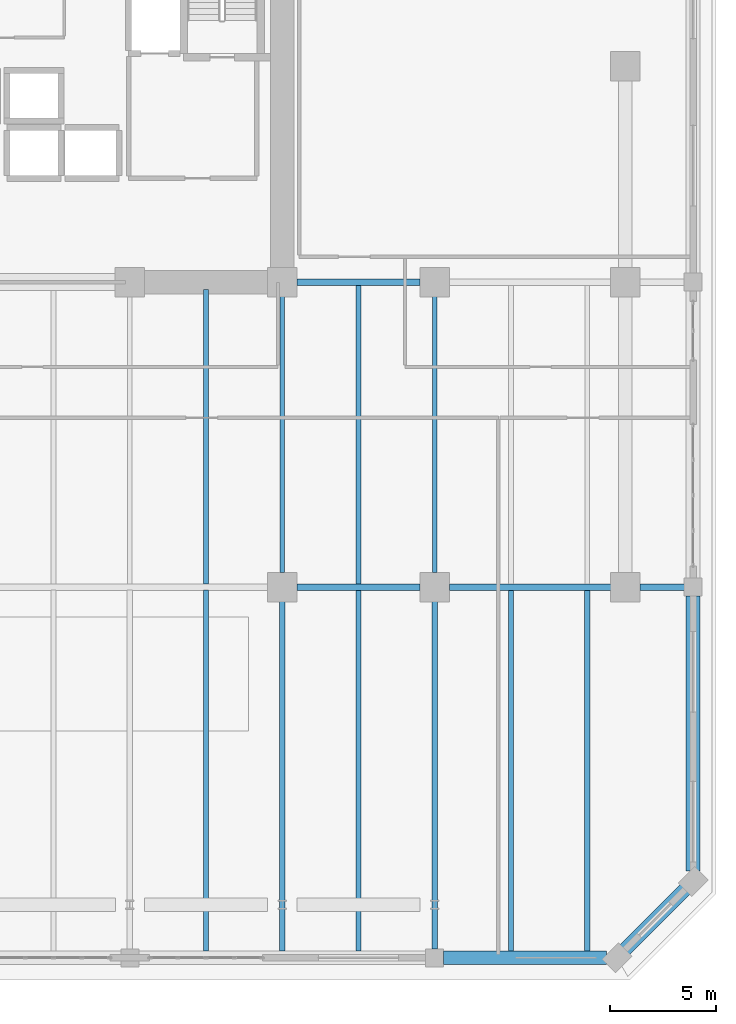
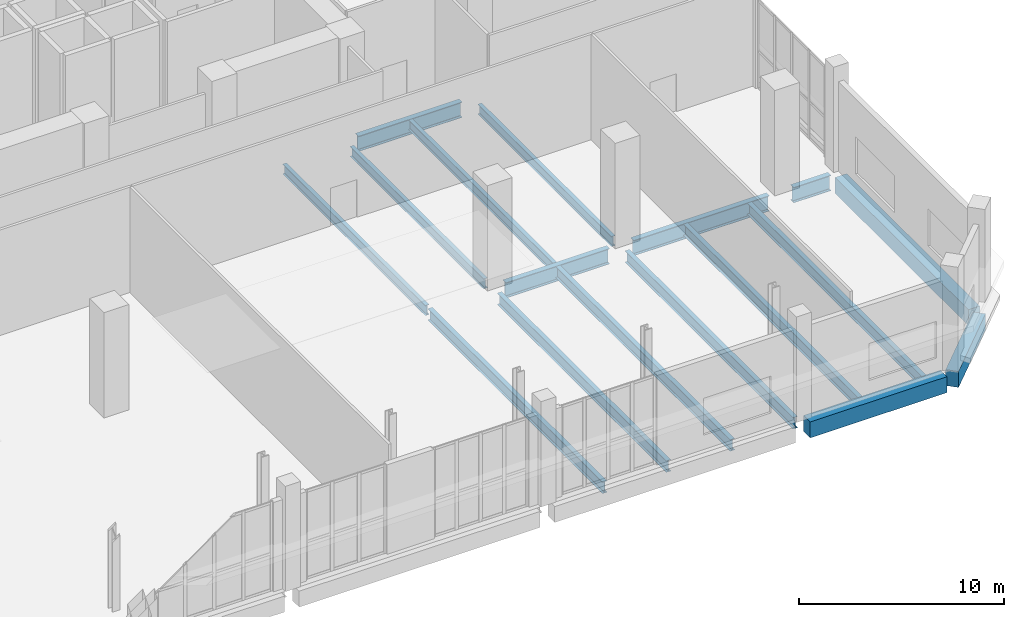
# One storey, part 17 of 29: 17 beams.
"""IFC4 building model written with IfcOpenShell, lengths in metres."""

from ifc_helpers import new_model, si_unit, direction, frame, origin, origin_2d, place, context, subcontext, project, spatial, rectangle, i_section, extrude, material, material_profile, profile_set, type_object, element, save


model = new_model("IFC4")

# Units and contexts
model_context = context("Model", 3, precision=1e-05, world=origin(), true_north=direction((0.0, 1.0)))
body_context = subcontext(model_context, "Body", "Model", "MODEL_VIEW")
ifc_project = project(units=[si_unit("LENGTHUNIT", "METRE"), si_unit("AREAUNIT", "SQUARE_METRE"), si_unit("VOLUMEUNIT", "CUBIC_METRE"), si_unit("PLANEANGLEUNIT", "RADIAN"), si_unit("MASSUNIT", "GRAM", prefix="KILO")], contexts=[model_context])

# Site, building, storey
site_placement = place(None, origin())
site = spatial("IfcSite", under=ifc_project, at=site_placement, CompositionType="ELEMENT")
building_placement = place(site_placement, origin())
building = spatial("IfcBuilding", under=site, at=building_placement, Name="Kaelvorn Grand Hotel", CompositionType="ELEMENT")
storey_placement = place(building_placement, frame((0.0, 0.0, 19.39990234375)))
storey = spatial("IfcBuildingStorey", under=building, at=storey_placement, Name="L03", CompositionType="ELEMENT", Elevation=19.39990234375)

# Beams
ifc_material_1 = material(Name="Steel S355", Category="steel")
ifc_material_profile_1 = material_profile(ifc_material_1, i_section(OverallWidth=0.305419921875, OverallDepth=0.91845703125, WebThickness=0.017333984375, FlangeThickness=0.02783203125, FilletRadius=0.01904296875, at=origin_2d()), Name="UB 914x305x253")
ifc_profile_set_1 = profile_set([ifc_material_profile_1], Name="Steel S355")
beam_type_1 = type_object("IfcBeamType", Name="BM-G-UB914-S355", PredefinedType="BEAM", material=ifc_profile_set_1)
beam_1_placement = place(storey_placement, frame((68.485107421875, 15.0, -0.779052734375), z_axis=(1.0, 0.0, 0.0), x_axis=(0.0, 1.0, 0.0)))
element("IfcBeam", 1, at=beam_1_placement, inside=storey, type_object=beam_type_1, Name="L03 Primary Spine Steel Girder G-15 07", PredefinedType="BEAM", context=body_context, shape_type="SweptSolid", body=[
    extrude(i_section(OverallWidth=0.305419921875, OverallDepth=0.91845703125, WebThickness=0.017333984375, FlangeThickness=0.02783203125, FilletRadius=0.01904296875, at=origin_2d()), origin(), (0.0, 0.0, 1.0), 5.829833984375),
])
beam_2_placement = place(storey_placement, frame((75.68505859375, 15.0, -0.779052734375), z_axis=(1.0, 0.0, 0.0), x_axis=(0.0, 1.0, 0.0)))
element("IfcBeam", 2, at=beam_2_placement, inside=storey, type_object=beam_type_1, Name="L03 Primary Spine Steel Girder G-15 08", PredefinedType="BEAM", context=body_context, shape_type="SweptSolid", body=[
    extrude(i_section(OverallWidth=0.305419921875, OverallDepth=0.91845703125, WebThickness=0.017333984375, FlangeThickness=0.02783203125, FilletRadius=0.01904296875, at=origin_2d()), origin(), (0.0, 0.0, 1.0), 7.6298828125),
])
beam_3_placement = place(storey_placement, frame((84.68505859375, 15.0, -0.779052734375), z_axis=(1.0, 0.0, 0.0), x_axis=(0.0, 1.0, 0.0)))
element("IfcBeam", 3, at=beam_3_placement, inside=storey, type_object=beam_type_1, Name="L03 Primary Spine Steel Girder G-15 09", PredefinedType="BEAM", context=body_context, shape_type="SweptSolid", body=[
    extrude(i_section(OverallWidth=0.305419921875, OverallDepth=0.91845703125, WebThickness=0.017333984375, FlangeThickness=0.02783203125, FilletRadius=0.01904296875, at=origin_2d()), origin(), (0.0, 0.0, 1.0), 2.10498046875),
])
beam_4_placement = place(storey_placement, frame((68.485107421875, 29.39990234375, -0.779052734375), z_axis=(1.0, 0.0, 0.0), x_axis=(0.0, 1.0, 0.0)))
element("IfcBeam", 4, at=beam_4_placement, inside=storey, type_object=beam_type_1, Name="L03 East Core Wing Steel Girder G-29E 01", PredefinedType="BEAM", context=body_context, shape_type="SweptSolid", body=[
    extrude(i_section(OverallWidth=0.305419921875, OverallDepth=0.91845703125, WebThickness=0.017333984375, FlangeThickness=0.02783203125, FilletRadius=0.01904296875, at=origin_2d()), origin(), (0.0, 0.0, 1.0), 5.829833984375),
])
ifc_material_profile_2 = material_profile(ifc_material_1, i_section(OverallWidth=0.219970703125, OverallDepth=0.60009765625, WebThickness=0.011962890625, FlangeThickness=0.01904296875, FilletRadius=0.02392578125, at=origin_2d()), Name="IPE 600")
ifc_profile_set_2 = profile_set([ifc_material_profile_2], Name="Steel S355")
beam_type_2 = type_object("IfcBeamType", Name="BM-J-IPE600-S355", PredefinedType="JOIST", material=ifc_profile_set_2)
beam_5_placement = place(storey_placement, frame((64.199951171875, 15.1376953125, -0.619873046875), z_axis=(0.0, 1.0, 0.0), x_axis=(-1.0, 0.0, 0.0)))
element("IfcBeam", 5, at=beam_5_placement, inside=storey, type_object=beam_type_2, Name="L03 Composite Floor Joist JM-18", PredefinedType="JOIST", context=body_context, shape_type="SweptSolid", body=[
    extrude(i_section(OverallWidth=0.219970703125, OverallDepth=0.60009765625, WebThickness=0.011962890625, FlangeThickness=0.01904296875, FilletRadius=0.02392578125, at=origin_2d()), origin(), (0.0, 0.0, 1.0), 13.92236328125),
])
beam_6_placement = place(storey_placement, frame((67.800048828125, 15.68505859375, -0.619873046875), z_axis=(0.0, 1.0, 0.0), x_axis=(-1.0, 0.0, 0.0)))
element("IfcBeam", 6, at=beam_6_placement, inside=storey, type_object=beam_type_2, Name="L03 Composite Floor Joist JM-19", PredefinedType="JOIST", context=body_context, shape_type="SweptSolid", body=[
    extrude(i_section(OverallWidth=0.219970703125, OverallDepth=0.60009765625, WebThickness=0.011962890625, FlangeThickness=0.01904296875, FilletRadius=0.02392578125, at=origin_2d()), origin(), (0.0, 0.0, 1.0), 13.030029296875),
])
beam_7_placement = place(storey_placement, frame((71.39990234375, 15.1376953125, -0.619873046875), z_axis=(0.0, 1.0, 0.0), x_axis=(-1.0, 0.0, 0.0)))
element("IfcBeam", 7, at=beam_7_placement, inside=storey, type_object=beam_type_2, Name="L03 Composite Floor Joist JM-20", PredefinedType="JOIST", context=body_context, shape_type="SweptSolid", body=[
    extrude(i_section(OverallWidth=0.219970703125, OverallDepth=0.60009765625, WebThickness=0.011962890625, FlangeThickness=0.01904296875, FilletRadius=0.02392578125, at=origin_2d()), origin(), (0.0, 0.0, 1.0), 14.12451171875),
])
beam_8_placement = place(storey_placement, frame((75.0, 15.68505859375, -0.619873046875), z_axis=(0.0, 1.0, 0.0), x_axis=(-1.0, 0.0, 0.0)))
element("IfcBeam", 8, at=beam_8_placement, inside=storey, type_object=beam_type_2, Name="L03 Composite Floor Joist JM-21", PredefinedType="JOIST", context=body_context, shape_type="SweptSolid", body=[
    extrude(i_section(OverallWidth=0.219970703125, OverallDepth=0.60009765625, WebThickness=0.011962890625, FlangeThickness=0.01904296875, FilletRadius=0.02392578125, at=origin_2d()), origin(), (0.0, 0.0, 1.0), 13.030029296875),
])
ifc_material_profile_3 = material_profile(ifc_material_1, i_section(OverallWidth=0.25439453125, OverallDepth=0.6875, WebThickness=0.01318359375, FlangeThickness=0.02099609375, FilletRadius=0.01513671875, at=origin_2d()), Name="UB 686x254x152")
ifc_profile_set_3 = profile_set([ifc_material_profile_3], Name="Steel S355")
beam_type_3 = type_object("IfcBeamType", Name="BM-J-UB686-S355", PredefinedType="JOIST", material=ifc_profile_set_3)
beam_9_placement = place(storey_placement, frame((64.199951171875, -2.18994140625, -0.66357421875), z_axis=(0.0, 1.0, 0.0), x_axis=(-1.0, 0.0, 0.0)))
element("IfcBeam", 9, at=beam_9_placement, inside=storey, type_object=beam_type_3, Name="L03 Composite Floor Joist JS-18", PredefinedType="JOIST", context=body_context, shape_type="SweptSolid", body=[
    extrude(i_section(OverallWidth=0.25439453125, OverallDepth=0.6875, WebThickness=0.01318359375, FlangeThickness=0.02099609375, FilletRadius=0.01513671875, at=origin_2d()), origin(), (0.0, 0.0, 1.0), 17.05224609375),
])
beam_10_placement = place(storey_placement, frame((67.800048828125, -2.18994140625, -0.66357421875), z_axis=(0.0, 1.0, 0.0), x_axis=(-1.0, 0.0, 0.0)))
element("IfcBeam", 10, at=beam_10_placement, inside=storey, type_object=beam_type_3, Name="L03 Composite Floor Joist JS-19", PredefinedType="JOIST", context=body_context, shape_type="SweptSolid", body=[
    extrude(i_section(OverallWidth=0.25439453125, OverallDepth=0.6875, WebThickness=0.01318359375, FlangeThickness=0.02099609375, FilletRadius=0.01513671875, at=origin_2d()), origin(), (0.0, 0.0, 1.0), 16.5048828125),
])
beam_11_placement = place(storey_placement, frame((71.39990234375, -2.18994140625, -0.66357421875), z_axis=(0.0, 1.0, 0.0), x_axis=(-1.0, 0.0, 0.0)))
element("IfcBeam", 11, at=beam_11_placement, inside=storey, type_object=beam_type_3, Name="L03 Composite Floor Joist JS-20", PredefinedType="JOIST", context=body_context, shape_type="SweptSolid", body=[
    extrude(i_section(OverallWidth=0.25439453125, OverallDepth=0.6875, WebThickness=0.01318359375, FlangeThickness=0.02099609375, FilletRadius=0.01513671875, at=origin_2d()), origin(), (0.0, 0.0, 1.0), 17.05224609375),
])
beam_12_placement = place(storey_placement, frame((75.0, -2.090087890625, -0.66357421875), z_axis=(0.0, 1.0, 0.0), x_axis=(-1.0, 0.0, 0.0)))
element("IfcBeam", 12, at=beam_12_placement, inside=storey, type_object=beam_type_3, Name="L03 Composite Floor Joist JS-21", PredefinedType="JOIST", context=body_context, shape_type="SweptSolid", body=[
    extrude(i_section(OverallWidth=0.25439453125, OverallDepth=0.6875, WebThickness=0.01318359375, FlangeThickness=0.02099609375, FilletRadius=0.01513671875, at=origin_2d()), origin(), (0.0, 0.0, 1.0), 16.405029296875),
])
for number, where, z_axis, x_axis, name in (
    (13, (78.60009765625, -2.18994140625, -0.66357421875), (0.0, 1.0, 0.0), (-1.0, 0.0, 0.0), "L03 Composite Floor Joist JS-22"),
    (14, (82.199951171875, -2.18994140625, -0.66357421875), (0.0, 1.0, 0.0), (-1.0, 0.0, 0.0), "L03 Composite Floor Joist JS-23"),
):
    element("IfcBeam", number, at=place(storey_placement, frame(where, z_axis=z_axis, x_axis=x_axis)), inside=storey, type_object=beam_type_3, Name=name, PredefinedType="JOIST", context=body_context, shape_type="SweptSolid", body=[
        extrude(i_section(OverallWidth=0.25439453125, OverallDepth=0.6875, WebThickness=0.01318359375, FlangeThickness=0.02099609375, FilletRadius=0.01513671875, at=origin_2d()), origin(), (0.0, 0.0, 1.0), 17.05224609375),
    ])
ifc_material_2 = material(Name="Concrete C60/75", Category="concrete")
ifc_material_profile_4 = material_profile(ifc_material_2, rectangle(XDim=0.64990234375, YDim=0.949951171875, at=origin_2d()), Name="RC SPANDREL 650x950")
ifc_profile_set_4 = profile_set([ifc_material_profile_4], Name="Concrete C60/75")
beam_type_4 = type_object("IfcBeamType", Name="BM-SP-650x950-C60", PredefinedType="SPANDREL", material=ifc_profile_set_4)
beam_13_placement = place(storey_placement, frame((75.409912109375, -2.5, -0.794921875), z_axis=(1.0, 0.0, 0.0), x_axis=(0.0, 1.0, 0.0)))
element("IfcBeam", 15, at=beam_13_placement, inside=storey, type_object=beam_type_4, Name="L03 South Perimeter Spandrel 07", PredefinedType="SPANDREL", context=body_context, shape_type="SweptSolid", body=[
    extrude(rectangle(XDim=0.64990234375, YDim=0.949951171875, at=origin_2d()), origin(), (0.0, 0.0, 1.0), 7.705078125),
])
beam_14_placement = place(storey_placement, frame((87.199951171875, 1.5849609375, -0.794921875), z_axis=(0.0, 1.0, 0.0), x_axis=(-1.0, 0.0, 0.0)))
element("IfcBeam", 16, at=beam_14_placement, inside=storey, type_object=beam_type_4, Name="L03 East Perimeter Spandrel 01", PredefinedType="SPANDREL", context=body_context, shape_type="SweptSolid", body=[
    extrude(rectangle(XDim=0.64990234375, YDim=0.949951171875, at=origin_2d()), origin(), (0.0, 0.0, 1.0), 13.005126953125),
])
beam_15_placement = place(storey_placement, frame((83.60009765625, -2.5, -0.794921875), z_axis=(0.707082803744, 0.707130757816, 0.0), x_axis=(-0.707130757816, 0.707082803744, 0.0)))
element("IfcBeam", 17, at=beam_15_placement, inside=storey, type_object=beam_type_4, Name="L03 Chamfer Spandrel Beam 1", PredefinedType="SPANDREL", context=body_context, shape_type="SweptSolid", body=[
    extrude(rectangle(XDim=0.64990234375, YDim=0.949951171875, at=origin_2d()), origin(), (0.0, 0.0, 1.0), 5.091064453125),
])

save(model, "model.ifc")
